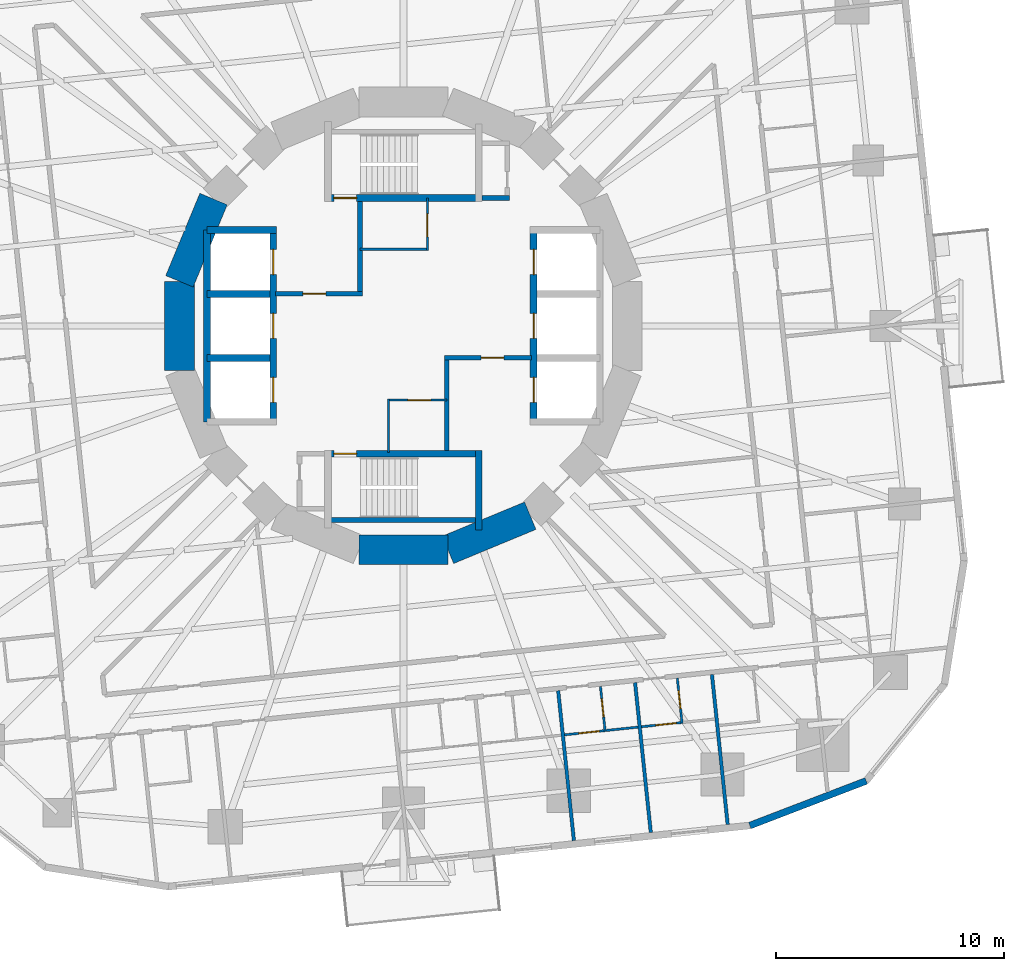
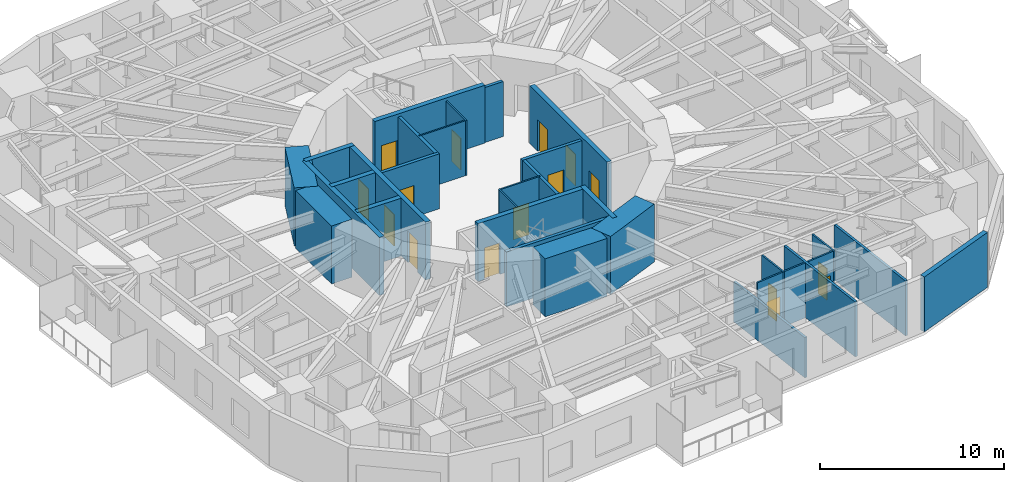
# One storey, part 7 of 13: 32 walls, 16 doors, 16 openings.
"""IFC4 building model written with IfcOpenShell, lengths in metres."""

from ifc_helpers import new_model, si_unit, direction, frame, frame_2d, origin, place, context, subcontext, project, spatial, rectangle, extrude, material, layer, layer_set, type_object, element, fill, save


model = new_model("IFC4")

# Units and contexts
model_context = context("Model", 3, precision=1e-05, world=origin(), true_north=direction((0.0, 1.0)))
body_context = subcontext(model_context, "Body", "Model", "MODEL_VIEW")
ifc_project = project(units=[si_unit("LENGTHUNIT", "METRE"), si_unit("AREAUNIT", "SQUARE_METRE"), si_unit("VOLUMEUNIT", "CUBIC_METRE"), si_unit("PLANEANGLEUNIT", "RADIAN"), si_unit("MASSUNIT", "GRAM", prefix="KILO")], contexts=[model_context])

# Site, building, storey
site_placement = place(None, origin())
site = spatial("IfcSite", under=ifc_project, at=site_placement, CompositionType="ELEMENT")
building_placement = place(site_placement, origin())
building = spatial("IfcBuilding", under=site, at=building_placement, Name="Nakasero Lantern House", CompositionType="ELEMENT")
storey_placement = place(building_placement, frame((0.0, 0.0, 75.89990234375)))
storey = spatial("IfcBuildingStorey", under=building, at=storey_placement, Name="L18", CompositionType="ELEMENT", Elevation=75.89990234375)

# Wall, openings, doors
ifc_material_1 = material(Name="Concrete C50/60", Category="concrete")
ifc_layer_1 = layer(ifc_material_1, 0.300048828125)
ifc_layer_set_1 = layer_set([ifc_layer_1], Name="Core inner wall 300")
wall_type_1 = type_object("IfcWallType", Name="Core inner wall 300", PredefinedType="SHEAR", material=ifc_layer_set_1)
wall_1_placement = place(storey_placement, frame((-5.699951171875, -4.199951171875, 0.0), z_axis=(0.0, 0.0, 1.0), x_axis=(0.0, 1.0, 0.0)))
wall_1 = element("IfcWall", 1, at=wall_1_placement, inside=storey, type_object=wall_type_1, Name="Core inner wall L18 LW", PredefinedType="SHEAR", context=body_context, shape_type="SweptSolid", body=[
    extrude(rectangle(XDim=8.39990234375, YDim=0.300048828125, at=frame_2d((4.199951171875, 0.0))), origin(), (0.0, 0.0, 1.0), 3.85009765625),
])
opening_1_placement = place(wall_1_placement, frame((0.85009765625, 0.0, 0.0)))
opening_1 = element("IfcOpeningElement", 2, at=opening_1_placement, cuts=wall_1, Name="Opening LD", PredefinedType="OPENING", context=body_context, shape_type="SweptSolid", body=[
    extrude(rectangle(XDim=1.10009765625, YDim=2.10009765625, at=frame_2d((0.550048828125, 1.050048828125))), frame((0.0, 0.169921875, 0.0), z_axis=(0.0, -1.0, 0.0), x_axis=(1.0, 0.0, 0.0)), (0.0, 0.0, 1.0), 0.340087890625),
])
opening_2_placement = place(wall_1_placement, frame((3.64990234375, 0.0, 0.0)))
opening_2 = element("IfcOpeningElement", 3, at=opening_2_placement, cuts=wall_1, Name="Opening LD", PredefinedType="OPENING", context=body_context, shape_type="SweptSolid", body=[
    extrude(rectangle(XDim=1.10009765625, YDim=2.10009765625, at=frame_2d((0.550048828125, 1.050048828125))), frame((0.0, 0.169921875, 0.0), z_axis=(0.0, -1.0, 0.0), x_axis=(1.0, 0.0, 0.0)), (0.0, 0.0, 1.0), 0.340087890625),
])
opening_3_placement = place(wall_1_placement, frame((6.449951171875, 0.0, 0.0)))
opening_3 = element("IfcOpeningElement", 4, at=opening_3_placement, cuts=wall_1, Name="Opening LD", PredefinedType="OPENING", context=body_context, shape_type="SweptSolid", body=[
    extrude(rectangle(XDim=1.10009765625, YDim=2.10009765625, at=frame_2d((0.550048828125, 1.050048828125))), frame((0.0, 0.169921875, 0.0), z_axis=(0.0, -1.0, 0.0), x_axis=(1.0, 0.0, 0.0)), (0.0, 0.0, 1.0), 0.340087890625),
])
ifc_material_2 = material(Name="Steel S355", Category="steel")
door_type_1 = type_object("IfcDoorType", Name="Lift landing door E120 1100", OperationType="SLIDING_TO_LEFT", PredefinedType="DOOR", material=ifc_material_2)
door_1_placement = place(opening_1_placement, origin())
door_1 = element("IfcDoor", 5, at=door_1_placement, inside=storey, type_object=door_type_1, Name="Lift landing door LW1", OperationType="SLIDING_TO_LEFT", OverallHeight=2.10009765625, OverallWidth=1.10009765625, PredefinedType="DOOR", context=body_context, shape_type="SweptSolid", body=[
    extrude(rectangle(XDim=1.10009765625, YDim=2.10009765625, at=frame_2d((0.550048828125, 1.050048828125))), frame((0.0, 0.02490234375, 0.0), z_axis=(0.0, -1.0, 0.0), x_axis=(1.0, 0.0, 0.0)), (0.0, 0.0, 1.0), 0.050048828125),
])
fill(opening_1, door_1)
door_2_placement = place(opening_2_placement, origin())
door_2 = element("IfcDoor", 6, at=door_2_placement, inside=storey, type_object=door_type_1, Name="Lift landing door LW2", OperationType="SLIDING_TO_LEFT", OverallHeight=2.10009765625, OverallWidth=1.10009765625, PredefinedType="DOOR", context=body_context, shape_type="SweptSolid", body=[
    extrude(rectangle(XDim=1.10009765625, YDim=2.10009765625, at=frame_2d((0.550048828125, 1.050048828125))), frame((0.0, 0.02490234375, 0.0), z_axis=(0.0, -1.0, 0.0), x_axis=(1.0, 0.0, 0.0)), (0.0, 0.0, 1.0), 0.050048828125),
])
fill(opening_2, door_2)
door_3_placement = place(opening_3_placement, origin())
door_3 = element("IfcDoor", 7, at=door_3_placement, inside=storey, type_object=door_type_1, Name="Lift landing door LW3", OperationType="SLIDING_TO_LEFT", OverallHeight=2.10009765625, OverallWidth=1.10009765625, PredefinedType="DOOR", context=body_context, shape_type="SweptSolid", body=[
    extrude(rectangle(XDim=1.10009765625, YDim=2.10009765625, at=frame_2d((0.550048828125, 1.050048828125))), frame((0.0, 0.02490234375, 0.0), z_axis=(0.0, -1.0, 0.0), x_axis=(1.0, 0.0, 0.0)), (0.0, 0.0, 1.0), 0.050048828125),
])
fill(opening_3, door_3)

wall_2_placement = place(storey_placement, frame((5.699951171875, -4.199951171875, 0.0), z_axis=(0.0, 0.0, 1.0), x_axis=(0.0, 1.0, 0.0)))
wall_2 = element("IfcWall", 8, at=wall_2_placement, inside=storey, type_object=wall_type_1, Name="Core inner wall L18 LE", PredefinedType="SHEAR", context=body_context, shape_type="SweptSolid", body=[
    extrude(rectangle(XDim=8.39990234375, YDim=0.300048828125, at=frame_2d((4.199951171875, 0.0))), origin(), (0.0, 0.0, 1.0), 3.85009765625),
])
opening_4_placement = place(wall_2_placement, frame((0.85009765625, 0.0, 0.0)))
opening_4 = element("IfcOpeningElement", 9, at=opening_4_placement, cuts=wall_2, Name="Opening LD", PredefinedType="OPENING", context=body_context, shape_type="SweptSolid", body=[
    extrude(rectangle(XDim=1.10009765625, YDim=2.10009765625, at=frame_2d((0.550048828125, 1.050048828125))), frame((0.0, 0.169921875, 0.0), z_axis=(0.0, -1.0, 0.0), x_axis=(1.0, 0.0, 0.0)), (0.0, 0.0, 1.0), 0.340087890625),
])
opening_5_placement = place(wall_2_placement, frame((3.64990234375, 0.0, 0.0)))
opening_5 = element("IfcOpeningElement", 10, at=opening_5_placement, cuts=wall_2, Name="Opening LD", PredefinedType="OPENING", context=body_context, shape_type="SweptSolid", body=[
    extrude(rectangle(XDim=1.10009765625, YDim=2.10009765625, at=frame_2d((0.550048828125, 1.050048828125))), frame((0.0, 0.169921875, 0.0), z_axis=(0.0, -1.0, 0.0), x_axis=(1.0, 0.0, 0.0)), (0.0, 0.0, 1.0), 0.340087890625),
])
opening_6_placement = place(wall_2_placement, frame((6.449951171875, 0.0, 0.0)))
opening_6 = element("IfcOpeningElement", 11, at=opening_6_placement, cuts=wall_2, Name="Opening LD", PredefinedType="OPENING", context=body_context, shape_type="SweptSolid", body=[
    extrude(rectangle(XDim=1.10009765625, YDim=2.10009765625, at=frame_2d((0.550048828125, 1.050048828125))), frame((0.0, 0.169921875, 0.0), z_axis=(0.0, -1.0, 0.0), x_axis=(1.0, 0.0, 0.0)), (0.0, 0.0, 1.0), 0.340087890625),
])
door_4_placement = place(opening_4_placement, origin())
door_4 = element("IfcDoor", 12, at=door_4_placement, inside=storey, type_object=door_type_1, Name="Lift landing door LE1", OperationType="SLIDING_TO_LEFT", OverallHeight=2.10009765625, OverallWidth=1.10009765625, PredefinedType="DOOR", context=body_context, shape_type="SweptSolid", body=[
    extrude(rectangle(XDim=1.10009765625, YDim=2.10009765625, at=frame_2d((0.550048828125, 1.050048828125))), frame((0.0, 0.02490234375, 0.0), z_axis=(0.0, -1.0, 0.0), x_axis=(1.0, 0.0, 0.0)), (0.0, 0.0, 1.0), 0.050048828125),
])
fill(opening_4, door_4)
door_5_placement = place(opening_5_placement, origin())
door_5 = element("IfcDoor", 13, at=door_5_placement, inside=storey, type_object=door_type_1, Name="Lift landing door LE2", OperationType="SLIDING_TO_LEFT", OverallHeight=2.10009765625, OverallWidth=1.10009765625, PredefinedType="DOOR", context=body_context, shape_type="SweptSolid", body=[
    extrude(rectangle(XDim=1.10009765625, YDim=2.10009765625, at=frame_2d((0.550048828125, 1.050048828125))), frame((0.0, 0.02490234375, 0.0), z_axis=(0.0, -1.0, 0.0), x_axis=(1.0, 0.0, 0.0)), (0.0, 0.0, 1.0), 0.050048828125),
])
fill(opening_5, door_5)
door_6_placement = place(opening_6_placement, origin())
door_6 = element("IfcDoor", 14, at=door_6_placement, inside=storey, type_object=door_type_1, Name="Lift landing door LE3", OperationType="SLIDING_TO_LEFT", OverallHeight=2.10009765625, OverallWidth=1.10009765625, PredefinedType="DOOR", context=body_context, shape_type="SweptSolid", body=[
    extrude(rectangle(XDim=1.10009765625, YDim=2.10009765625, at=frame_2d((0.550048828125, 1.050048828125))), frame((0.0, 0.02490234375, 0.0), z_axis=(0.0, -1.0, 0.0), x_axis=(1.0, 0.0, 0.0)), (0.0, 0.0, 1.0), 0.050048828125),
])
fill(opening_6, door_6)

# Walls
wall_3_placement = place(storey_placement, frame((-8.60009765625, 4.199951171875, 0.0), z_axis=(0.0, 0.0, 1.0), x_axis=(1.0, 0.0, 0.0)))
element("IfcWall", 15, at=wall_3_placement, inside=storey, type_object=wall_type_1, Name="Core inner wall L18 LWN", PredefinedType="SHEAR", context=body_context, shape_type="SweptSolid", body=[
    extrude(rectangle(XDim=3.050048828125, YDim=0.300048828125, at=frame_2d((1.52490234375, 0.0))), origin(), (0.0, 0.0, 1.0), 3.85009765625),
])
wall_4_placement = place(storey_placement, frame((-8.60009765625, -4.199951171875, 0.0), z_axis=(0.0, 0.0, 1.0), x_axis=(0.0, 1.0, 0.0)))
element("IfcWall", 16, at=wall_4_placement, inside=storey, type_object=wall_type_1, Name="Core inner wall L18 LWB", PredefinedType="SHEAR", context=body_context, shape_type="SweptSolid", body=[
    extrude(rectangle(XDim=8.39990234375, YDim=0.300048828125, at=frame_2d((4.199951171875, 0.0))), origin(), (0.0, 0.0, 1.0), 3.85009765625),
])
for number, where, z_axis, x_axis, name in (
    (17, (-8.60009765625, -1.39990234375, 0.0), (0.0, 0.0, 1.0), (1.0, 0.0, 0.0), "Core inner wall L18 LW1"),
    (18, (-8.60009765625, 1.39990234375, 0.0), (0.0, 0.0, 1.0), (1.0, 0.0, 0.0), "Core inner wall L18 LW2"),
):
    element("IfcWall", number, at=place(storey_placement, frame(where, z_axis=z_axis, x_axis=x_axis)), inside=storey, type_object=wall_type_1, Name=name, PredefinedType="SHEAR", context=body_context, shape_type="SweptSolid", body=[
        extrude(rectangle(XDim=2.75, YDim=0.300048828125, at=frame_2d((1.375, 0.0))), origin(), (0.0, 0.0, 1.0), 3.85009765625),
    ])

# Wall, opening, door
wall_5_placement = place(storey_placement, frame((-3.449951171875, 5.60009765625, 0.0), z_axis=(0.0, 0.0, 1.0), x_axis=(1.0, 0.0, 0.0)))
wall_5 = element("IfcWall", 19, at=wall_5_placement, inside=storey, type_object=wall_type_1, Name="Core inner wall L18 SN", PredefinedType="SHEAR", context=body_context, shape_type="SweptSolid", body=[
    extrude(rectangle(XDim=6.89990234375, YDim=0.300048828125, at=frame_2d((3.449951171875, 0.0))), origin(), (0.0, 0.0, 1.0), 3.85009765625),
])
opening_7_placement = place(wall_5_placement, frame((0.39990234375, 0.0, 0.0)))
opening_7 = element("IfcOpeningElement", 20, at=opening_7_placement, cuts=wall_5, Name="Opening D05", PredefinedType="OPENING", context=body_context, shape_type="SweptSolid", body=[
    extrude(rectangle(XDim=1.0, YDim=2.10009765625, at=frame_2d((0.5, 1.050048828125))), frame((0.0, 0.169921875, 0.0), z_axis=(0.0, -1.0, 0.0), x_axis=(1.0, 0.0, 0.0)), (0.0, 0.0, 1.0), 0.340087890625),
])
ifc_material_3 = material(Name="Timber C24", Category="wood")
door_type_2 = type_object("IfcDoorType", Name="Core door FD60S 1000", OperationType="SINGLE_SWING_LEFT", PredefinedType="DOOR", material=ifc_material_3)
door_7_placement = place(opening_7_placement, origin())
door_7 = element("IfcDoor", 21, at=door_7_placement, inside=storey, type_object=door_type_2, Name="Door L18 D-ST1", OperationType="SINGLE_SWING_LEFT", OverallHeight=2.10009765625, OverallWidth=1.0, PredefinedType="DOOR", context=body_context, shape_type="SweptSolid", body=[
    extrude(rectangle(XDim=1.0, YDim=2.10009765625, at=frame_2d((0.5, 1.050048828125))), frame((0.0, 0.02490234375, 0.0), z_axis=(0.0, -1.0, 0.0), x_axis=(1.0, 0.0, 0.0)), (0.0, 0.0, 1.0), 0.050048828125),
])
fill(opening_7, door_7)

wall_6_placement = place(storey_placement, frame((-3.449951171875, -5.60009765625, 0.0), z_axis=(0.0, 0.0, 1.0), x_axis=(1.0, 0.0, 0.0)))
wall_6 = element("IfcWall", 22, at=wall_6_placement, inside=storey, type_object=wall_type_1, Name="Core inner wall L18 SS", PredefinedType="SHEAR", context=body_context, shape_type="SweptSolid", body=[
    extrude(rectangle(XDim=6.89990234375, YDim=0.300048828125, at=frame_2d((3.449951171875, 0.0))), origin(), (0.0, 0.0, 1.0), 3.85009765625),
])
opening_8_placement = place(wall_6_placement, frame((0.39990234375, 0.0, 0.0)))
opening_8 = element("IfcOpeningElement", 23, at=opening_8_placement, cuts=wall_6, Name="Opening D05", PredefinedType="OPENING", context=body_context, shape_type="SweptSolid", body=[
    extrude(rectangle(XDim=1.0, YDim=2.10009765625, at=frame_2d((0.5, 1.050048828125))), frame((0.0, 0.169921875, 0.0), z_axis=(0.0, -1.0, 0.0), x_axis=(1.0, 0.0, 0.0)), (0.0, 0.0, 1.0), 0.340087890625),
])
door_8_placement = place(opening_8_placement, origin())
door_8 = element("IfcDoor", 24, at=door_8_placement, inside=storey, type_object=door_type_2, Name="Door L18 D-ST2", OperationType="SINGLE_SWING_LEFT", OverallHeight=2.10009765625, OverallWidth=1.0, PredefinedType="DOOR", context=body_context, shape_type="SweptSolid", body=[
    extrude(rectangle(XDim=1.0, YDim=2.10009765625, at=frame_2d((0.5, 1.050048828125))), frame((0.0, 0.02490234375, 0.0), z_axis=(0.0, -1.0, 0.0), x_axis=(1.0, 0.0, 0.0)), (0.0, 0.0, 1.0), 0.050048828125),
])
fill(opening_8, door_8)

# Walls
wall_7_placement = place(storey_placement, frame((3.300048828125, -5.449951171875, 0.0), z_axis=(0.0, 0.0, 1.0), x_axis=(0.0, -1.0, 0.0)))
element("IfcWall", 25, at=wall_7_placement, inside=storey, type_object=wall_type_1, Name="Core inner wall L18 SSE", PredefinedType="SHEAR", context=body_context, shape_type="SweptSolid", body=[
    extrude(rectangle(XDim=3.5, YDim=0.300048828125, at=frame_2d((1.75, 0.0))), origin(), (0.0, 0.0, 1.0), 3.85009765625),
])
ifc_material_4 = material(Name="Blockwork", Category="masonry")
ifc_layer_2 = layer(ifc_material_4, 0.10009765625)
ifc_layer_set_2 = layer_set([ifc_layer_2], Name="Core room wall 100")
wall_type_2 = type_object("IfcWallType", Name="Core room wall 100", PredefinedType="PARTITIONING", material=ifc_layer_set_2)
wall_8_placement = place(storey_placement, frame((-1.89990234375, 3.35009765625, 0.0), z_axis=(0.0, 0.0, 1.0), x_axis=(1.0, 0.0, 0.0)))
element("IfcWall", 26, at=wall_8_placement, inside=storey, type_object=wall_type_2, Name="Core room wall L18 CR-NES", PredefinedType="PARTITIONING", context=body_context, shape_type="SweptSolid", body=[
    extrude(rectangle(XDim=3.0, YDim=0.10009765625, at=frame_2d((1.5, 0.0))), origin(), (0.0, 0.0, 1.0), 3.650146484375),
])

# Wall, opening, door
wall_9_placement = place(storey_placement, frame((1.050048828125, 3.300048828125, 0.0), z_axis=(0.0, 0.0, 1.0), x_axis=(0.0, 1.0, 0.0)))
wall_9 = element("IfcWall", 27, at=wall_9_placement, inside=storey, type_object=wall_type_2, Name="Core room wall L18 CR-NEE", PredefinedType="PARTITIONING", context=body_context, shape_type="SweptSolid", body=[
    extrude(rectangle(XDim=2.300048828125, YDim=0.10009765625, at=frame_2d((1.14990234375, 0.0))), origin(), (0.0, 0.0, 1.0), 3.650146484375),
])
opening_9_placement = place(wall_9_placement, frame((0.60009765625, 0.0, 0.0)))
opening_9 = element("IfcOpeningElement", 28, at=opening_9_placement, cuts=wall_9, Name="Opening D13", PredefinedType="OPENING", context=body_context, shape_type="SweptSolid", body=[
    extrude(rectangle(XDim=1.0, YDim=2.10009765625, at=frame_2d((0.5, 1.050048828125))), frame((0.0, 0.070068359375, 0.0), z_axis=(0.0, -1.0, 0.0), x_axis=(1.0, 0.0, 0.0)), (0.0, 0.0, 1.0), 0.14013671875),
])
ifc_material_5 = material(Name="Steel S355", Category="steel")
door_type_3 = type_object("IfcDoorType", Name="Plant room door FD60 1000", OperationType="SINGLE_SWING_LEFT", PredefinedType="DOOR", material=ifc_material_5)
door_9_placement = place(opening_9_placement, origin())
door_9 = element("IfcDoor", 29, at=door_9_placement, inside=storey, type_object=door_type_3, Name="Door L18 D-CR-NE", OperationType="SINGLE_SWING_LEFT", OverallHeight=2.10009765625, OverallWidth=1.0, PredefinedType="DOOR", context=body_context, shape_type="SweptSolid", body=[
    extrude(rectangle(XDim=1.0, YDim=2.10009765625, at=frame_2d((0.5, 1.050048828125))), frame((0.0, 0.02490234375, 0.0), z_axis=(0.0, -1.0, 0.0), x_axis=(1.0, 0.0, 0.0)), (0.0, 0.0, 1.0), 0.050048828125),
])
fill(opening_9, door_9)

wall_10_placement = place(storey_placement, frame((-0.699951171875, -3.25, 0.0), z_axis=(0.0, 0.0, 1.0), x_axis=(1.0, 0.0, 0.0)))
wall_10 = element("IfcWall", 30, at=wall_10_placement, inside=storey, type_object=wall_type_2, Name="Core room wall L18 CR-SWN", PredefinedType="PARTITIONING", context=body_context, shape_type="SweptSolid", body=[
    extrude(rectangle(XDim=2.599853515625, YDim=0.10009765625, at=frame_2d((1.2998046875, 0.0))), origin(), (0.0, 0.0, 1.0), 3.650146484375),
])
opening_10_placement = place(wall_10_placement, frame((0.89990234375, 0.0, 0.0)))
opening_10 = element("IfcOpeningElement", 31, at=opening_10_placement, cuts=wall_10, Name="Opening D07", PredefinedType="OPENING", context=body_context, shape_type="SweptSolid", body=[
    extrude(rectangle(XDim=1.0, YDim=2.10009765625, at=frame_2d((0.5, 1.050048828125))), frame((0.0, 0.070068359375, 0.0), z_axis=(0.0, -1.0, 0.0), x_axis=(1.0, 0.0, 0.0)), (0.0, 0.0, 1.0), 0.14013671875),
])
ifc_material_6 = material(Name="Timber C24", Category="wood")
door_type_4 = type_object("IfcDoorType", Name="Room door FD30S 1000", OperationType="SINGLE_SWING_LEFT", PredefinedType="DOOR", material=ifc_material_6)
door_10_placement = place(opening_10_placement, origin())
door_10 = element("IfcDoor", 32, at=door_10_placement, inside=storey, type_object=door_type_4, Name="Door L18 D-CR-SW", OperationType="SINGLE_SWING_RIGHT", OverallHeight=2.10009765625, OverallWidth=1.0, PredefinedType="DOOR", context=body_context, shape_type="SweptSolid", body=[
    extrude(rectangle(XDim=1.0, YDim=2.10009765625, at=frame_2d((0.5, 1.050048828125))), frame((0.0, 0.02490234375, 0.0), z_axis=(0.0, -1.0, 0.0), x_axis=(1.0, 0.0, 0.0)), (0.0, 0.0, 1.0), 0.050048828125),
])
fill(opening_10, door_10)

# Walls
wall_11_placement = place(storey_placement, frame((-0.64990234375, -5.550048828125, 0.0), z_axis=(0.0, 0.0, 1.0), x_axis=(0.0, 1.0, 0.0)))
element("IfcWall", 33, at=wall_11_placement, inside=storey, type_object=wall_type_2, Name="Core room wall L18 CR-SWW", PredefinedType="PARTITIONING", context=body_context, shape_type="SweptSolid", body=[
    extrude(rectangle(XDim=2.35009765625, YDim=0.10009765625, at=frame_2d((1.175048828125, 0.0))), origin(), (0.0, 0.0, 1.0), 3.650146484375),
])
ifc_material_7 = material(Name="Concrete C50/60", Category="concrete")
ifc_layer_3 = layer(ifc_material_7, 1.300048828125)
ifc_layer_set_3 = layer_set([ifc_layer_3], Name="Core wall 1300")
wall_type_3 = type_object("IfcWallType", Name="Core wall 1300", PredefinedType="SHEAR", material=ifc_layer_set_3)
for number, where, z_axis, x_axis, name in (
    (34, (-8.314697265625, 5.5556640625, 0.0), (0.0, 0.0, 1.0), (-0.382690736062, -0.923876507187, 0.0), "Core wall L18 facet 7"),
    (35, (-9.807861328125, 1.950927734375, 0.0), (0.0, 0.0, 1.0), (0.0, -1.0, 0.0), "Core wall L18 facet 8"),
    (36, (-1.950927734375, -9.807861328125, 0.0), (0.0, 0.0, 1.0), (1.0, 0.0, 0.0), "Core wall L18 facet 12"),
    (37, (1.950927734375, -9.807861328125, 0.0), (0.0, 0.0, 1.0), (0.923876507187, 0.382690736062, 0.0), "Core wall L18 facet 13"),
):
    element("IfcWall", number, at=place(storey_placement, frame(where, z_axis=z_axis, x_axis=x_axis)), inside=storey, type_object=wall_type_3, Name=name, PredefinedType="SHEAR", context=body_context, shape_type="SweptSolid", body=[
        extrude(rectangle(XDim=3.90185546875, YDim=1.300048828125, at=frame_2d((1.950927734375, 0.0))), origin(), (0.0, 0.0, 1.0), 3.85009765625),
    ])

# Wall, opening, door
ifc_material_8 = material(Name="Blockwork", Category="masonry")
ifc_layer_4 = layer(ifc_material_8, 0.10009765625)
ifc_layer_set_4 = layer_set([ifc_layer_4], Name="En-suite wall 100")
wall_type_4 = type_object("IfcWallType", Name="En-suite wall 100", PredefinedType="PARTITIONING", material=ifc_layer_set_4)
wall_12_placement = place(storey_placement, frame((8.627685546875, -15.78466796875, 0.0), z_axis=(0.0, 0.0, 1.0), x_axis=(0.104614886044, -0.994512808172, 0.0)))
wall_12 = element("IfcWall", 38, at=wall_12_placement, inside=storey, type_object=wall_type_4, Name="En-suite wall L18 ES3-06", PredefinedType="PARTITIONING", context=body_context, shape_type="SweptSolid", body=[
    extrude(rectangle(XDim=2.0, YDim=0.10009765625, at=frame_2d((1.0, 0.0))), origin(), (0.0, 0.0, 1.0), 3.650146484375),
])
opening_11_placement = place(wall_12_placement, frame((0.550048828125, 0.0, 0.0)))
opening_11 = element("IfcOpeningElement", 39, at=opening_11_placement, cuts=wall_12, Name="Opening D02", PredefinedType="OPENING", context=body_context, shape_type="SweptSolid", body=[
    extrude(rectangle(XDim=0.800048828125, YDim=2.10009765625, at=frame_2d((0.39990234375, 1.050048828125))), frame((0.0, 0.070068359375, 0.0), z_axis=(0.0, -1.0, 0.0), x_axis=(1.0, 0.0, 0.0)), (0.0, 0.0, 1.0), 0.14013671875),
])
ifc_material_9 = material(Name="Timber C24", Category="wood")
door_type_5 = type_object("IfcDoorType", Name="En-suite door 800", OperationType="SINGLE_SWING_RIGHT", PredefinedType="DOOR", material=ifc_material_9)
door_11_placement = place(opening_11_placement, origin())
door_11 = element("IfcDoor", 40, at=door_11_placement, inside=storey, type_object=door_type_5, Name="Door L18 DE3-06", OperationType="SINGLE_SWING_LEFT", OverallHeight=2.10009765625, OverallWidth=0.800048828125, PredefinedType="DOOR", context=body_context, shape_type="SweptSolid", body=[
    extrude(rectangle(XDim=0.800048828125, YDim=2.10009765625, at=frame_2d((0.39990234375, 1.050048828125))), frame((0.0, 0.02490234375, 0.0), z_axis=(0.0, -1.0, 0.0), x_axis=(1.0, 0.0, 0.0)), (0.0, 0.0, 1.0), 0.050048828125),
])
fill(opening_11, door_11)

# Wall
wall_13_placement = place(storey_placement, frame((8.88134765625, -17.71875, 0.0), z_axis=(0.0, 0.0, 1.0), x_axis=(0.994511184598, 0.104630319263, 0.0)))
element("IfcWall", 41, at=wall_13_placement, inside=storey, type_object=wall_type_4, Name="En-suite wall L18 EE3-06", PredefinedType="PARTITIONING", context=body_context, shape_type="SweptSolid", body=[
    extrude(rectangle(XDim=1.39990234375, YDim=0.10009765625, at=frame_2d((0.699951171875, 0.0))), origin(), (0.0, 0.0, 1.0), 3.650146484375),
])

# Wall, opening, door
wall_14_placement = place(storey_placement, frame((11.994873046875, -15.4306640625, 0.0), z_axis=(0.0, 0.0, 1.0), x_axis=(0.104494148666, -0.99452550138, 0.0)))
wall_14 = element("IfcWall", 42, at=wall_14_placement, inside=storey, type_object=wall_type_4, Name="En-suite wall L18 ES3-07", PredefinedType="PARTITIONING", context=body_context, shape_type="SweptSolid", body=[
    extrude(rectangle(XDim=2.0, YDim=0.10009765625, at=frame_2d((1.0, 0.0))), origin(), (0.0, 0.0, 1.0), 3.650146484375),
])
opening_12_placement = place(wall_14_placement, frame((0.550048828125, 0.0, 0.0)))
opening_12 = element("IfcOpeningElement", 43, at=opening_12_placement, cuts=wall_14, Name="Opening D02", PredefinedType="OPENING", context=body_context, shape_type="SweptSolid", body=[
    extrude(rectangle(XDim=0.800048828125, YDim=2.10009765625, at=frame_2d((0.39990234375, 1.050048828125))), frame((0.0, 0.070068359375, 0.0), z_axis=(0.0, -1.0, 0.0), x_axis=(1.0, 0.0, 0.0)), (0.0, 0.0, 1.0), 0.14013671875),
])
door_12_placement = place(opening_12_placement, origin())
door_12 = element("IfcDoor", 44, at=door_12_placement, inside=storey, type_object=door_type_5, Name="Door L18 DE3-07", OperationType="SINGLE_SWING_LEFT", OverallHeight=2.10009765625, OverallWidth=0.800048828125, PredefinedType="DOOR", context=body_context, shape_type="SweptSolid", body=[
    extrude(rectangle(XDim=0.800048828125, YDim=2.10009765625, at=frame_2d((0.39990234375, 1.050048828125))), frame((0.0, 0.02490234375, 0.0), z_axis=(0.0, -1.0, 0.0), x_axis=(1.0, 0.0, 0.0)), (0.0, 0.0, 1.0), 0.050048828125),
])
fill(opening_12, door_12)

wall_15_placement = place(storey_placement, frame((7.055908203125, -17.91064453125, 0.0), z_axis=(0.0, 0.0, 1.0), x_axis=(0.99452316669, 0.10451636674, 0.0)))
wall_15 = element("IfcWall", 45, at=wall_15_placement, inside=storey, type_object=wall_type_4, Name="En-suite wall L18 EL3-06", PredefinedType="PARTITIONING", context=body_context, shape_type="SweptSolid", body=[
    extrude(rectangle(XDim=1.735595703125, YDim=0.10009765625, at=frame_2d((0.86767578125, 0.0))), origin(), (0.0, 0.0, 1.0), 3.650146484375),
])
opening_13_placement = place(wall_15_placement, frame((0.635498046875, 0.0, 0.0)))
opening_13 = element("IfcOpeningElement", 46, at=opening_13_placement, cuts=wall_15, Name="Opening D17", PredefinedType="OPENING", context=body_context, shape_type="SweptSolid", body=[
    extrude(rectangle(XDim=0.89990234375, YDim=2.10009765625, at=frame_2d((0.449951171875, 1.050048828125))), frame((0.0, 0.070068359375, 0.0), z_axis=(0.0, -1.0, 0.0), x_axis=(1.0, 0.0, 0.0)), (0.0, 0.0, 1.0), 0.14013671875),
])
ifc_material_10 = material(Name="Timber C24", Category="wood")
door_type_6 = type_object("IfcDoorType", Name="Bedroom door FD30S 900", OperationType="SINGLE_SWING_LEFT", PredefinedType="DOOR", material=ifc_material_10)
door_13_placement = place(opening_13_placement, origin())
door_13 = element("IfcDoor", 47, at=door_13_placement, inside=storey, type_object=door_type_6, Name="Door L18 DL3-06", OperationType="SINGLE_SWING_RIGHT", OverallHeight=2.10009765625, OverallWidth=0.89990234375, PredefinedType="DOOR", context=body_context, shape_type="SweptSolid", body=[
    extrude(rectangle(XDim=0.89990234375, YDim=2.10009765625, at=frame_2d((0.449951171875, 1.050048828125))), frame((0.0, 0.02490234375, 0.0), z_axis=(0.0, -1.0, 0.0), x_axis=(1.0, 0.0, 0.0)), (0.0, 0.0, 1.0), 0.050048828125),
])
fill(opening_13, door_13)

wall_16_placement = place(storey_placement, frame((10.4228515625, -17.556640625, 0.0), z_axis=(0.0, 0.0, 1.0), x_axis=(0.99452316669, 0.10451636674, 0.0)))
wall_16 = element("IfcWall", 48, at=wall_16_placement, inside=storey, type_object=wall_type_4, Name="En-suite wall L18 EL3-07", PredefinedType="PARTITIONING", context=body_context, shape_type="SweptSolid", body=[
    extrude(rectangle(XDim=1.735595703125, YDim=0.10009765625, at=frame_2d((0.86767578125, 0.0))), origin(), (0.0, 0.0, 1.0), 3.650146484375),
])
opening_14_placement = place(wall_16_placement, frame((0.635498046875, 0.0, 0.0)))
opening_14 = element("IfcOpeningElement", 49, at=opening_14_placement, cuts=wall_16, Name="Opening D17", PredefinedType="OPENING", context=body_context, shape_type="SweptSolid", body=[
    extrude(rectangle(XDim=0.89990234375, YDim=2.10009765625, at=frame_2d((0.449951171875, 1.050048828125))), frame((0.0, 0.070068359375, 0.0), z_axis=(0.0, -1.0, 0.0), x_axis=(1.0, 0.0, 0.0)), (0.0, 0.0, 1.0), 0.14013671875),
])
door_14_placement = place(opening_14_placement, origin())
door_14 = element("IfcDoor", 50, at=door_14_placement, inside=storey, type_object=door_type_6, Name="Door L18 DL3-07", OperationType="SINGLE_SWING_RIGHT", OverallHeight=2.10009765625, OverallWidth=0.89990234375, PredefinedType="DOOR", context=body_context, shape_type="SweptSolid", body=[
    extrude(rectangle(XDim=0.89990234375, YDim=2.10009765625, at=frame_2d((0.449951171875, 1.050048828125))), frame((0.0, 0.02490234375, 0.0), z_axis=(0.0, -1.0, 0.0), x_axis=(1.0, 0.0, 0.0)), (0.0, 0.0, 1.0), 0.050048828125),
])
fill(opening_14, door_14)

# Wall
ifc_material_11 = material(Name="Aluminium rainscreen on blockwork", Category="masonry")
ifc_layer_5 = layer(ifc_material_11, 0.300048828125)
ifc_layer_set_5 = layer_set([ifc_layer_5], Name="Facade wall 300")
wall_type_5 = type_object("IfcWallType", Name="Facade wall 300", PredefinedType="SOLIDWALL", material=ifc_layer_set_5)
wall_17_placement = place(storey_placement, frame((15.170654296875, -21.884033203125, 0.0), z_axis=(0.0, 0.0, 1.0), x_axis=(0.933583906079, 0.358358884793, 0.0)))
element("IfcWall", 51, at=wall_17_placement, inside=storey, type_object=wall_type_5, Name="Facade wall L18 FW3C1", PredefinedType="SOLIDWALL", context=body_context, shape_type="SweptSolid", body=[
    extrude(rectangle(XDim=5.461181640625, YDim=0.300048828125, at=frame_2d((2.73046875, 0.0))), origin(), (0.0, 0.0, 1.0), 3.650146484375),
])

# Wall, opening, door
ifc_material_12 = material(Name="Blockwork", Category="masonry")
ifc_layer_6 = layer(ifc_material_12, 0.199951171875)
ifc_layer_set_6 = layer_set([ifc_layer_6], Name="Fire lobby wall 200")
wall_type_6 = type_object("IfcWallType", Name="Fire lobby wall 200", PredefinedType="PARTITIONING", material=ifc_layer_set_6)
wall_18_placement = place(storey_placement, frame((-5.60009765625, 1.39990234375, 0.0), z_axis=(0.0, 0.0, 1.0), x_axis=(1.0, 0.0, 0.0)))
wall_18 = element("IfcWall", 52, at=wall_18_placement, inside=storey, type_object=wall_type_6, Name="Fire lobby wall L18 W-FL1S", PredefinedType="PARTITIONING", context=body_context, shape_type="SweptSolid", body=[
    extrude(rectangle(XDim=3.800048828125, YDim=0.199951171875, at=frame_2d((1.89990234375, 0.0))), origin(), (0.0, 0.0, 1.0), 3.650146484375),
])
opening_15_placement = place(wall_18_placement, frame((1.199951171875, 0.0, 0.0)))
opening_15 = element("IfcOpeningElement", 53, at=opening_15_placement, cuts=wall_18, Name="Opening D05", PredefinedType="OPENING", context=body_context, shape_type="SweptSolid", body=[
    extrude(rectangle(XDim=1.0, YDim=2.10009765625, at=frame_2d((0.5, 1.050048828125))), frame((0.0, 0.119873046875, 0.0), z_axis=(0.0, -1.0, 0.0), x_axis=(1.0, 0.0, 0.0)), (0.0, 0.0, 1.0), 0.239990234375),
])
door_15_placement = place(opening_15_placement, origin())
door_15 = element("IfcDoor", 54, at=door_15_placement, inside=storey, type_object=door_type_2, Name="Door L18 D-FL1", OperationType="SINGLE_SWING_LEFT", OverallHeight=2.10009765625, OverallWidth=1.0, PredefinedType="DOOR", context=body_context, shape_type="SweptSolid", body=[
    extrude(rectangle(XDim=1.0, YDim=2.10009765625, at=frame_2d((0.5, 1.050048828125))), frame((0.0, 0.02490234375, 0.0), z_axis=(0.0, -1.0, 0.0), x_axis=(1.0, 0.0, 0.0)), (0.0, 0.0, 1.0), 0.050048828125),
])
fill(opening_15, door_15)

# Wall
wall_19_placement = place(storey_placement, frame((-1.89990234375, 1.5, 0.0), z_axis=(0.0, 0.0, 1.0), x_axis=(0.0, 1.0, 0.0)))
element("IfcWall", 55, at=wall_19_placement, inside=storey, type_object=wall_type_6, Name="Fire lobby wall L18 W-FL1E", PredefinedType="PARTITIONING", context=body_context, shape_type="SweptSolid", body=[
    extrude(rectangle(XDim=3.949951171875, YDim=0.199951171875, at=frame_2d((1.97509765625, 0.0))), origin(), (0.0, 0.0, 1.0), 3.650146484375),
])

# Wall, opening, door
wall_20_placement = place(storey_placement, frame((5.60009765625, -1.39990234375, 0.0), z_axis=(0.0, 0.0, 1.0), x_axis=(-1.0, 0.0, 0.0)))
wall_20 = element("IfcWall", 56, at=wall_20_placement, inside=storey, type_object=wall_type_6, Name="Fire lobby wall L18 W-FL2N", PredefinedType="PARTITIONING", context=body_context, shape_type="SweptSolid", body=[
    extrude(rectangle(XDim=3.800048828125, YDim=0.199951171875, at=frame_2d((1.89990234375, 0.0))), origin(), (0.0, 0.0, 1.0), 3.650146484375),
])
opening_16_placement = place(wall_20_placement, frame((1.199951171875, 0.0, 0.0)))
opening_16 = element("IfcOpeningElement", 57, at=opening_16_placement, cuts=wall_20, Name="Opening D05", PredefinedType="OPENING", context=body_context, shape_type="SweptSolid", body=[
    extrude(rectangle(XDim=1.0, YDim=2.10009765625, at=frame_2d((0.5, 1.050048828125))), frame((0.0, 0.119873046875, 0.0), z_axis=(0.0, -1.0, 0.0), x_axis=(1.0, 0.0, 0.0)), (0.0, 0.0, 1.0), 0.239990234375),
])
door_16_placement = place(opening_16_placement, origin())
door_16 = element("IfcDoor", 58, at=door_16_placement, inside=storey, type_object=door_type_2, Name="Door L18 D-FL2", OperationType="SINGLE_SWING_LEFT", OverallHeight=2.10009765625, OverallWidth=1.0, PredefinedType="DOOR", context=body_context, shape_type="SweptSolid", body=[
    extrude(rectangle(XDim=1.0, YDim=2.10009765625, at=frame_2d((0.5, 1.050048828125))), frame((0.0, 0.02490234375, 0.0), z_axis=(0.0, -1.0, 0.0), x_axis=(1.0, 0.0, 0.0)), (0.0, 0.0, 1.0), 0.050048828125),
])
fill(opening_16, door_16)

# Walls
wall_21_placement = place(storey_placement, frame((1.89990234375, -1.5, 0.0), z_axis=(0.0, 0.0, 1.0), x_axis=(0.0, -1.0, 0.0)))
element("IfcWall", 59, at=wall_21_placement, inside=storey, type_object=wall_type_6, Name="Fire lobby wall L18 W-FL2W", PredefinedType="PARTITIONING", context=body_context, shape_type="SweptSolid", body=[
    extrude(rectangle(XDim=3.949951171875, YDim=0.199951171875, at=frame_2d((1.97509765625, 0.0))), origin(), (0.0, 0.0, 1.0), 3.650146484375),
])
wall_22_placement = place(storey_placement, frame((3.449951171875, 5.60009765625, 0.0), z_axis=(0.0, 0.0, 1.0), x_axis=(1.0, 0.0, 0.0)))
element("IfcWall", 60, at=wall_22_placement, inside=storey, type_object=wall_type_6, Name="Fire lobby wall L18 W-RS1S", PredefinedType="PARTITIONING", context=body_context, shape_type="SweptSolid", body=[
    extrude(rectangle(XDim=1.199951171875, YDim=0.199951171875, at=frame_2d((0.60009765625, 0.0))), origin(), (0.0, 0.0, 1.0), 3.650146484375),
])
wall_23_placement = place(storey_placement, frame((-3.300048828125, -8.5, 0.0), z_axis=(0.0, 0.0, 1.0), x_axis=(1.0, 0.0, 0.0)))
element("IfcWall", 61, at=wall_23_placement, inside=storey, type_object=wall_type_6, Name="Fire lobby wall L18 W-STS", PredefinedType="PARTITIONING", context=body_context, shape_type="SweptSolid", body=[
    extrude(rectangle(XDim=6.60009765625, YDim=0.199951171875, at=frame_2d((3.300048828125, 0.0))), origin(), (0.0, 0.0, 1.0), 3.650146484375),
])
ifc_material_13 = material(Name="Blockwork", Category="masonry")
ifc_layer_7 = layer(ifc_material_13, 0.14990234375)
ifc_layer_set_7 = layer_set([ifc_layer_7], Name="Party wall 150")
wall_type_7 = type_object("IfcWallType", Name="Party wall 150", PredefinedType="PARTITIONING", material=ifc_layer_set_7)
wall_24_placement = place(storey_placement, frame((6.77734375, -15.97900390625, 0.0), z_axis=(0.0, 0.0, 1.0), x_axis=(0.104534592565, -0.994521251134, 0.0)))
element("IfcWall", 62, at=wall_24_placement, inside=storey, type_object=wall_type_7, Name="Party wall L18 PW3-06", PredefinedType="PARTITIONING", context=body_context, shape_type="SweptSolid", body=[
    extrude(rectangle(XDim=6.60009765625, YDim=0.14990234375, at=frame_2d((3.300048828125, 0.0))), origin(), (0.0, 0.0, 1.0), 2.669921875),
])
wall_25_placement = place(storey_placement, frame((10.14453125, -15.625244140625, 0.0), z_axis=(0.0, 0.0, 1.0), x_axis=(0.104501850668, -0.994524692105, 0.0)))
element("IfcWall", 63, at=wall_25_placement, inside=storey, type_object=wall_type_7, Name="Party wall L18 PW3-07", PredefinedType="PARTITIONING", context=body_context, shape_type="SweptSolid", body=[
    extrude(rectangle(XDim=6.599853515625, YDim=0.14990234375, at=frame_2d((3.2998046875, 0.0))), origin(), (0.0, 0.0, 1.0), 3.650146484375),
])
wall_26_placement = place(storey_placement, frame((13.511474609375, -15.271240234375, 0.0), z_axis=(0.0, 0.0, 1.0), x_axis=(0.104534592565, -0.994521251134, 0.0)))
element("IfcWall", 64, at=wall_26_placement, inside=storey, type_object=wall_type_7, Name="Party wall L18 PW3-08", PredefinedType="PARTITIONING", context=body_context, shape_type="SweptSolid", body=[
    extrude(rectangle(XDim=6.60009765625, YDim=0.14990234375, at=frame_2d((3.300048828125, 0.0))), origin(), (0.0, 0.0, 1.0), 3.650146484375),
])

save(model, "model.ifc")
